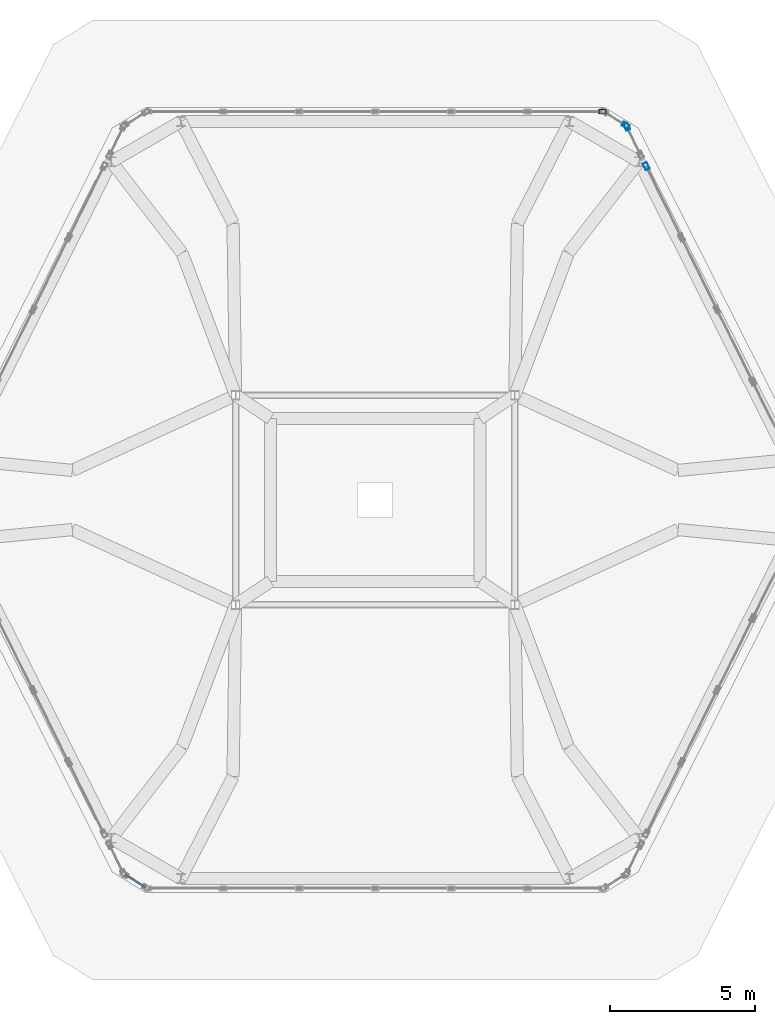
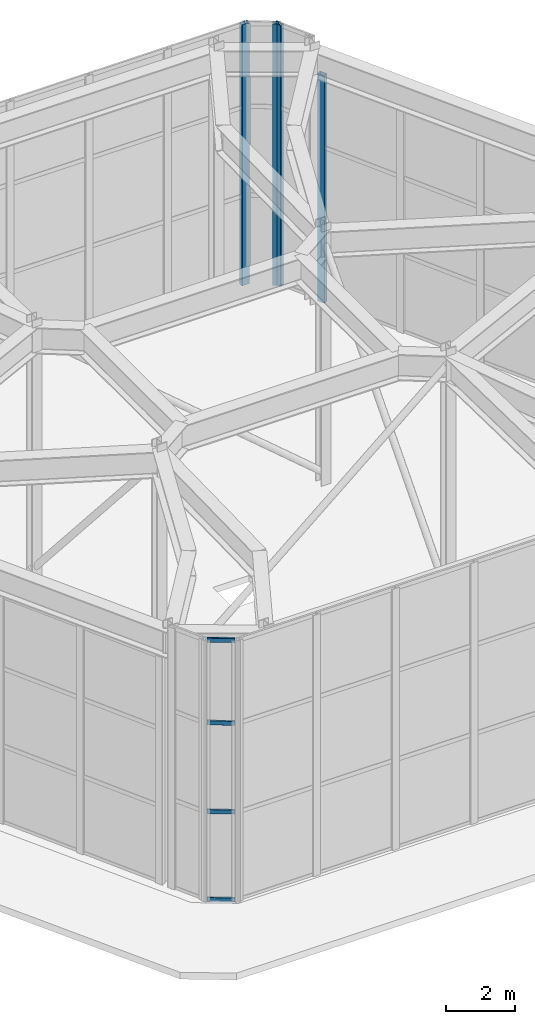
# One storey, part 7 of 10: 8 members, 5 elements without a shape of their own.
"""IFC4 building model written with IfcOpenShell, lengths in metres."""

from ifc_helpers import new_model, si_unit, direction, frame, origin, origin_2d, place, context, subcontext, project, spatial, hollow_rectangle, extrude, material, layer, layer_set, material_profile, profile_set, type_object, element, aggregate, save


model = new_model("IFC4")

# Units and contexts
model_context = context("Model", 3, precision=1e-05, world=origin(), true_north=direction((0.0, 1.0)))
body_context = subcontext(model_context, "Body", "Model", "MODEL_VIEW")
ifc_project = project(units=[si_unit("LENGTHUNIT", "METRE"), si_unit("AREAUNIT", "SQUARE_METRE"), si_unit("VOLUMEUNIT", "CUBIC_METRE"), si_unit("PLANEANGLEUNIT", "RADIAN"), si_unit("MASSUNIT", "GRAM", prefix="KILO")], contexts=[model_context])

# Site, building, storey
site_placement = place(None, origin())
site = spatial("IfcSite", under=ifc_project, at=site_placement, CompositionType="ELEMENT")
building_placement = place(site_placement, origin())
building = spatial("IfcBuilding", under=site, at=building_placement, Name="Cinnabar Lancet Tower", CompositionType="ELEMENT")
storey_placement = place(building_placement, frame((0.0, 0.0, 314.675048828125)))
storey = spatial("IfcBuildingStorey", under=building, at=storey_placement, Name="L81", CompositionType="ELEMENT", Elevation=314.675048828125)

# Curtain wall, member
ifc_material_1 = material(Name="Thermally broken bronze-anodized aluminium and low-E glass", Category="aluminium")
ifc_layer = layer(ifc_material_1, 0.179931640625)
ifc_layer_set = layer_set([ifc_layer], Name="Thermally broken bronze-anodized aluminium and low-E glass")
curtain_wall_type = type_object("IfcCurtainWallType", Name="ENV-CW-SYS-05", PredefinedType="NOTDEFINED", material=ifc_layer_set)
curtain_wall_1_placement = place(storey_placement, origin())
curtain_wall_1 = element("IfcCurtainWall", 1, at=curtain_wall_1_placement, inside=storey, type_object=curtain_wall_type, Name="L81 Faceted Lancet Crown Curtain Wall 9", PredefinedType="NOTDEFINED")
ifc_material_2 = material(Name="Anodized architectural aluminium 6063-T6", Category="aluminium")
ifc_material_profile_1 = material_profile(ifc_material_2, hollow_rectangle(XDim=0.14990234375, YDim=0.25, WallThickness=0.010009765625, InnerFilletRadius=0.0048828125, OuterFilletRadius=0.014892578125, at=origin_2d()), Name="RHS 250x150x10")
ifc_profile_set_1 = profile_set([ifc_material_profile_1], Name="Anodized architectural aluminium 6063-T6")
member_type_1 = type_object("IfcMemberType", Name="ENV-CW-MUL-260", PredefinedType="MULLION", material=ifc_profile_set_1)
member_1_placement = place(storey_placement, frame((41.72021484375, 37.274169921875, 0.0), z_axis=(0.0, 0.0, 1.0), x_axis=(-0.896551648599, -0.442939207335, 0.0)))
member_1 = element("IfcMember", 2, at=member_1_placement, type_object=member_type_1, Name="CW-05 mullion 5", PredefinedType="MULLION", context=body_context, shape_type="SweptSolid", body=[
    extrude(hollow_rectangle(XDim=0.14990234375, YDim=0.25, WallThickness=0.010009765625, InnerFilletRadius=0.0048828125, OuterFilletRadius=0.014892578125, at=origin_2d()), origin(), (0.0, 0.0, 1.0), 7.993896484375),
])
aggregate(curtain_wall_1, [member_1])

curtain_wall_2_placement = place(storey_placement, origin())
curtain_wall_2 = element("IfcCurtainWall", 3, at=curtain_wall_2_placement, inside=storey, type_object=curtain_wall_type, Name="L81 Faceted Lancet Crown Curtain Wall 10", PredefinedType="NOTDEFINED")
member_2_placement = place(storey_placement, frame((41.05029296875, 38.630126953125, 0.0), z_axis=(0.0, 0.0, 1.0), x_axis=(-0.896342772424, -0.443361742062, 0.0)))
member_2 = element("IfcMember", 4, at=member_2_placement, type_object=member_type_1, Name="CW-05 mullion 2", PredefinedType="MULLION", context=body_context, shape_type="SweptSolid", body=[
    extrude(hollow_rectangle(XDim=0.14990234375, YDim=0.25, WallThickness=0.010009765625, InnerFilletRadius=0.0048828125, OuterFilletRadius=0.014892578125, at=origin_2d()), origin(), (0.0, 0.0, 1.0), 9.175048828125),
])
aggregate(curtain_wall_2, [member_2])

curtain_wall_3_placement = place(storey_placement, origin())
curtain_wall_3 = element("IfcCurtainWall", 5, at=curtain_wall_3_placement, inside=storey, type_object=curtain_wall_type, Name="L81 Faceted Lancet Crown Curtain Wall 11", PredefinedType="NOTDEFINED")
member_3_placement = place(storey_placement, frame((41.011474609375, 38.6728515625, 0.0), z_axis=(0.0, 0.0, 1.0), x_axis=(-0.527975874925, -0.849259368802, 0.0)))
member_3 = element("IfcMember", 6, at=member_3_placement, type_object=member_type_1, Name="CW-05 mullion 1", PredefinedType="MULLION", context=body_context, shape_type="SweptSolid", body=[
    extrude(hollow_rectangle(XDim=0.14990234375, YDim=0.25, WallThickness=0.010009765625, InnerFilletRadius=0.0048828125, OuterFilletRadius=0.014892578125, at=origin_2d()), origin(), (0.0, 0.0, 1.0), 9.175048828125),
])
aggregate(curtain_wall_3, [member_3])

curtain_wall_4_placement = place(storey_placement, origin())
curtain_wall_4 = element("IfcCurtainWall", 7, at=curtain_wall_4_placement, inside=storey, type_object=curtain_wall_type, Name="L81 Faceted Lancet Crown Curtain Wall 12", PredefinedType="NOTDEFINED")
member_4_placement = place(storey_placement, frame((40.214111328125, 39.14990234375, 0.0), z_axis=(0.0, 0.0, 1.0), x_axis=(0.0, -1.0, 0.0)))
member_4 = element("IfcMember", 8, at=member_4_placement, type_object=member_type_1, Name="CW-05 mullion 1", PredefinedType="MULLION", context=body_context, shape_type="SweptSolid", body=[
    extrude(hollow_rectangle(XDim=0.14990234375, YDim=0.25, WallThickness=0.010009765625, InnerFilletRadius=0.0048828125, OuterFilletRadius=0.014892578125, at=origin_2d()), origin(), (0.0, 0.0, 1.0), 9.175048828125),
])
aggregate(curtain_wall_4, [member_4])

# Curtain wall, members
curtain_wall_5_placement = place(storey_placement, origin())
curtain_wall_5 = element("IfcCurtainWall", 9, at=curtain_wall_5_placement, inside=storey, type_object=curtain_wall_type, Name="L81 Faceted Lancet Crown Curtain Wall 1", PredefinedType="NOTDEFINED")
ifc_material_3 = material(Name="Anodized architectural aluminium 6063-T6", Category="aluminium")
ifc_material_profile_2 = material_profile(ifc_material_3, hollow_rectangle(XDim=0.06494140625, YDim=0.14990234375, WallThickness=0.00390625, InnerFilletRadius=0.001953125, OuterFilletRadius=0.006103515625, at=origin_2d()), Name="CW-TRN 150x65x4")
ifc_profile_set_2 = profile_set([ifc_material_profile_2], Name="Anodized architectural aluminium 6063-T6")
member_type_2 = type_object("IfcMemberType", Name="ENV-CW-TRN-160", PredefinedType="USERDEFINED", material=ifc_profile_set_2)
member_5_placement = place(storey_placement, frame((23.81396484375, 12.911376953125, 0.030029296875), z_axis=(0.849259877665, -0.527975056408, 0.0), x_axis=(0.527975056408, 0.849259877665, 0.0)))
member_5 = element("IfcMember", 10, at=member_5_placement, type_object=member_type_2, Name="CW-05 transom 1.1", ObjectType="TRANSOM", PredefinedType="USERDEFINED", context=body_context, shape_type="SweptSolid", body=[
    extrude(hollow_rectangle(XDim=0.06494140625, YDim=0.14990234375, WallThickness=0.00390625, InnerFilletRadius=0.001953125, OuterFilletRadius=0.006103515625, at=origin_2d()), origin(), (0.0, 0.0, 1.0), 0.813720703125),
])
member_6_placement = place(storey_placement, frame((23.81396484375, 12.911376953125, 3.119873046875), z_axis=(0.849259877665, -0.527975056408, 0.0), x_axis=(0.527975056408, 0.849259877665, 0.0)))
member_6 = element("IfcMember", 11, at=member_6_placement, type_object=member_type_2, Name="CW-05 transom 1.2", ObjectType="TRANSOM", PredefinedType="USERDEFINED", context=body_context, shape_type="SweptSolid", body=[
    extrude(hollow_rectangle(XDim=0.06494140625, YDim=0.14990234375, WallThickness=0.00390625, InnerFilletRadius=0.001953125, OuterFilletRadius=0.006103515625, at=origin_2d()), origin(), (0.0, 0.0, 1.0), 0.813720703125),
])
member_7_placement = place(storey_placement, frame((23.81396484375, 12.911376953125, 6.239013671875), z_axis=(0.849259877665, -0.527975056408, 0.0), x_axis=(0.527975056408, 0.849259877665, 0.0)))
member_7 = element("IfcMember", 12, at=member_7_placement, type_object=member_type_2, Name="CW-05 transom 1.3", ObjectType="TRANSOM", PredefinedType="USERDEFINED", context=body_context, shape_type="SweptSolid", body=[
    extrude(hollow_rectangle(XDim=0.06494140625, YDim=0.14990234375, WallThickness=0.00390625, InnerFilletRadius=0.001953125, OuterFilletRadius=0.006103515625, at=origin_2d()), origin(), (0.0, 0.0, 1.0), 0.813720703125),
])
member_8_placement = place(storey_placement, frame((23.81396484375, 12.911376953125, 9.14501953125), z_axis=(0.849259877665, -0.527975056408, 0.0), x_axis=(0.527975056408, 0.849259877665, 0.0)))
member_8 = element("IfcMember", 13, at=member_8_placement, type_object=member_type_2, Name="CW-05 transom 1.4", ObjectType="TRANSOM", PredefinedType="USERDEFINED", context=body_context, shape_type="SweptSolid", body=[
    extrude(hollow_rectangle(XDim=0.06494140625, YDim=0.14990234375, WallThickness=0.00390625, InnerFilletRadius=0.001953125, OuterFilletRadius=0.006103515625, at=origin_2d()), origin(), (0.0, 0.0, 1.0), 0.813720703125),
])
aggregate(curtain_wall_5, [member_5, member_6, member_7, member_8])

save(model, "model.ifc")
